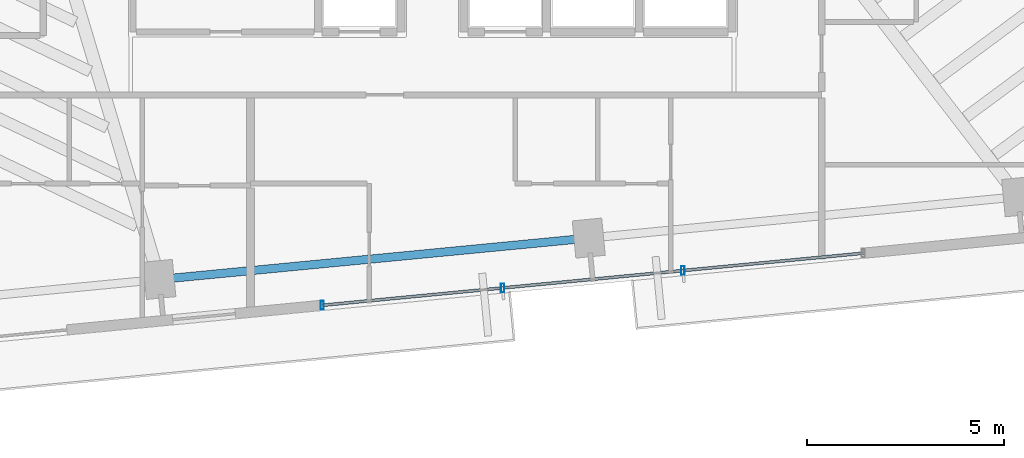
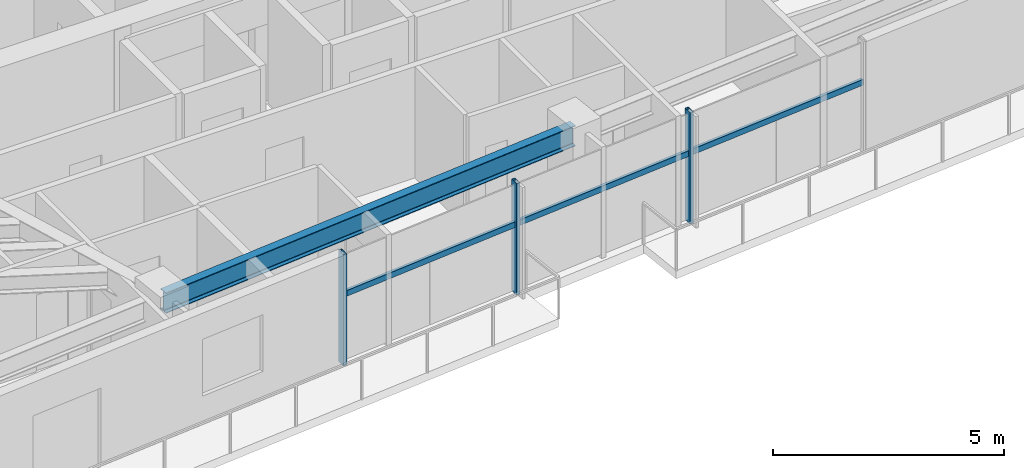
# One storey, part 4 of 18: 6 members, 1 beam, 1 element without a shape of its own.
"""IFC4 building model written with IfcOpenShell, lengths in metres."""

from ifc_helpers import new_model, si_unit, direction, frame, origin, origin_2d, place, context, subcontext, project, spatial, hollow_rectangle, i_section, extrude, source, transform, mapped, material, material_profile, profile_set, type_object, type_shapes, element, aggregate, save


model = new_model("IFC4")

# Units and contexts
model_context = context("Model", 3, precision=1e-05, world=origin(), true_north=direction((0.0, 1.0)))
body_context = subcontext(model_context, "Body", "Model", "MODEL_VIEW")
ifc_project = project(units=[si_unit("LENGTHUNIT", "METRE"), si_unit("AREAUNIT", "SQUARE_METRE"), si_unit("VOLUMEUNIT", "CUBIC_METRE"), si_unit("PLANEANGLEUNIT", "RADIAN"), si_unit("MASSUNIT", "GRAM", prefix="KILO")], contexts=[model_context])

# Site, building, storey
site_placement = place(None, origin())
site = spatial("IfcSite", under=ifc_project, at=site_placement, CompositionType="ELEMENT")
building_placement = place(site_placement, origin())
building = spatial("IfcBuilding", under=site, at=building_placement, Name="Astriad Promenade Condominiums", CompositionType="ELEMENT")
storey_placement = place(building_placement, frame((0.0, 0.0, 176.199951171875)))
storey = spatial("IfcBuildingStorey", under=building, at=storey_placement, Name="L50", CompositionType="ELEMENT", Elevation=176.199951171875)

# Beam
ifc_material_1 = material(Name="Steel ASTM A992 Grade 50", Category="steel")
ifc_material_profile_1 = material_profile(ifc_material_1, i_section(OverallWidth=0.210693359375, OverallDepth=0.53955078125, WebThickness=0.01171875, FlangeThickness=0.018798828125, FilletRadius=0.0166015625, at=origin_2d()), Name="W21X73")
ifc_profile_set_1 = profile_set([ifc_material_profile_1], Name="Steel ASTM A992 Grade 50")
beam_type = type_object("IfcBeamType", Name="STEEL SPANDREL BEAM W21X73", PredefinedType="SPANDREL", material=ifc_profile_set_1)
shared_shape_1 = source(origin(), body_context, "Body", "SweptSolid", [
    extrude(i_section(OverallWidth=0.210693359375, OverallDepth=0.53955078125, WebThickness=0.01171875, FlangeThickness=0.018798828125, FilletRadius=0.0166015625, at=origin_2d()), origin(), (0.0, 0.0, 1.0), 10.8701171875),
])
type_shapes(beam_type, [shared_shape_1])
beam_placement = place(storey_placement, frame((29.10888671875, 8.47119140625, 2.670166015625), z_axis=(0.995394986184, 0.09585834069, 0.0), x_axis=(-0.09585834069, 0.995394986184, 0.0)))
element("IfcBeam", 1, at=beam_placement, inside=storey, type_object=beam_type, Name="Perimeter Spandrel Beam SP-S2-L50", PredefinedType="SPANDREL", context=body_context, shape_type="MappedRepresentation", body=[
    mapped(shared_shape_1, transform((0.0, 0.0, 0.0), scale=1.0)),
])

# Curtain wall, members
ifc_material_2 = material(Name="Anodised aluminium Black Dark Glass Unitised", Category="aluminium")
curtain_wall_type = type_object("IfcCurtainWallType", Name="CW-B34-DARK", PredefinedType="USERDEFINED", material=ifc_material_2)
curtain_wall_placement = place(storey_placement, origin())
curtain_wall = element("IfcCurtainWall", 2, at=curtain_wall_placement, inside=storey, type_object=curtain_wall_type, Name="CW-L50-S", ObjectType="UNITISED_CURTAIN_WALL", PredefinedType="USERDEFINED")
ifc_material_3 = material(Name="Anodised aluminium 6063-T6 Black", Category="aluminium")
ifc_material_profile_2 = material_profile(ifc_material_3, hollow_rectangle(XDim=0.0849609375, YDim=0.219970703125, WallThickness=0.0048828125, at=origin_2d()), Name="ALU-MUL-85X220")
ifc_profile_set_2 = profile_set([ifc_material_profile_2], Name="Anodised aluminium 6063-T6 Black")
member_type_1 = type_object("IfcMemberType", Name="MUL-ALU-MUL-85X220", PredefinedType="MULLION", material=ifc_profile_set_2)
shared_shape_2 = source(origin(), body_context, "Body", "SweptSolid", [
    extrude(hollow_rectangle(XDim=0.0849609375, YDim=0.219970703125, WallThickness=0.0048828125, at=origin_2d()), origin(), (0.0, 0.0, 1.0), 2.93994140625),
])
type_shapes(member_type_1, [shared_shape_2])
member_1_placement = place(storey_placement, frame((42.358642578125, 8.692138671875, 0.0), z_axis=(0.0, 0.0, 1.0), x_axis=(1.0, 0.0, 0.0)))
member_1 = element("IfcMember", 3, at=member_1_placement, type_object=member_type_1, Name="CW-L50-S-MUL-01", PredefinedType="MULLION", context=body_context, shape_type="MappedRepresentation", body=[
    mapped(shared_shape_2, transform((0.0, 0.0, 0.0), scale=1.0)),
])
member_2_placement = place(storey_placement, frame((37.77978515625, 8.251220703125, 0.0), z_axis=(0.0, 0.0, 1.0), x_axis=(1.0, 0.0, 0.0)))
member_2 = element("IfcMember", 4, at=member_2_placement, type_object=member_type_1, Name="CW-L50-S-MUL-02", PredefinedType="MULLION", context=body_context, shape_type="MappedRepresentation", body=[
    mapped(shared_shape_2, transform((0.0, 0.0, 0.0), scale=1.0)),
])
member_3_placement = place(storey_placement, frame((33.201171875, 7.810302734375, 0.0), z_axis=(0.0, 0.0, 1.0), x_axis=(1.0, 0.0, 0.0)))
member_3 = element("IfcMember", 5, at=member_3_placement, type_object=member_type_1, Name="CW-L50-S-MUL-03", PredefinedType="MULLION", context=body_context, shape_type="MappedRepresentation", body=[
    mapped(shared_shape_2, transform((0.0, 0.0, 0.0), scale=1.0)),
])
ifc_material_profile_3 = material_profile(ifc_material_3, hollow_rectangle(XDim=0.074951171875, YDim=0.14990234375, WallThickness=0.004150390625, at=origin_2d()), Name="ALU-TRN-75X150")
ifc_profile_set_3 = profile_set([ifc_material_profile_3], Name="Anodised aluminium 6063-T6 Black")
member_type_2 = type_object("IfcMemberType", Name="TRN-ALU-TRN-75X150", PredefinedType="USERDEFINED", material=ifc_profile_set_3)
shared_shape_3 = source(origin(), body_context, "Body", "SweptSolid", [
    extrude(hollow_rectangle(XDim=0.074951171875, YDim=0.14990234375, WallThickness=0.004150390625, at=origin_2d()), origin(), (0.0, 0.0, 1.0), 4.60009765625),
])
member_4_placement = place(storey_placement, frame((46.9375, 9.133056640625, 1.82275390625), z_axis=(-0.995395697572, -0.095850953336, 0.0), x_axis=(0.095850953336, -0.995395697572, 0.0)))
member_4 = element("IfcMember", 6, at=member_4_placement, type_object=member_type_2, Name="CW-L50-S-TRN-00-0", ObjectType="TRANSOM", PredefinedType="USERDEFINED", context=body_context, shape_type="MappedRepresentation", body=[
    mapped(shared_shape_3, transform((0.0, 0.0, 0.0), scale=1.0)),
])
member_5_placement = place(storey_placement, frame((42.358642578125, 8.692138671875, 1.82275390625), z_axis=(-0.995395697572, -0.095850953336, 0.0), x_axis=(0.095850953336, -0.995395697572, 0.0)))
member_5 = element("IfcMember", 7, at=member_5_placement, type_object=member_type_2, Name="CW-L50-S-TRN-01-0", ObjectType="TRANSOM", PredefinedType="USERDEFINED", context=body_context, shape_type="MappedRepresentation", body=[
    mapped(shared_shape_3, transform((0.0, 0.0, 0.0), scale=1.0)),
])
shared_shape_4 = source(origin(), body_context, "Body", "SweptSolid", [
    extrude(hollow_rectangle(XDim=0.074951171875, YDim=0.14990234375, WallThickness=0.004150390625, at=origin_2d()), origin(), (0.0, 0.0, 1.0), 4.599853515625),
])
type_shapes(member_type_2, [shared_shape_3, shared_shape_4])
member_6_placement = place(storey_placement, frame((37.77978515625, 8.251220703125, 1.82275390625), z_axis=(-0.995395209924, -0.095856017336, 0.0), x_axis=(0.095856017336, -0.995395209924, 0.0)))
member_6 = element("IfcMember", 8, at=member_6_placement, type_object=member_type_2, Name="CW-L50-S-TRN-02-0", ObjectType="TRANSOM", PredefinedType="USERDEFINED", context=body_context, shape_type="MappedRepresentation", body=[
    mapped(shared_shape_4, transform((0.0, 0.0, 0.0), scale=1.0)),
])
aggregate(curtain_wall, [member_1, member_2, member_3, member_4, member_5, member_6])

save(model, "model.ifc")
